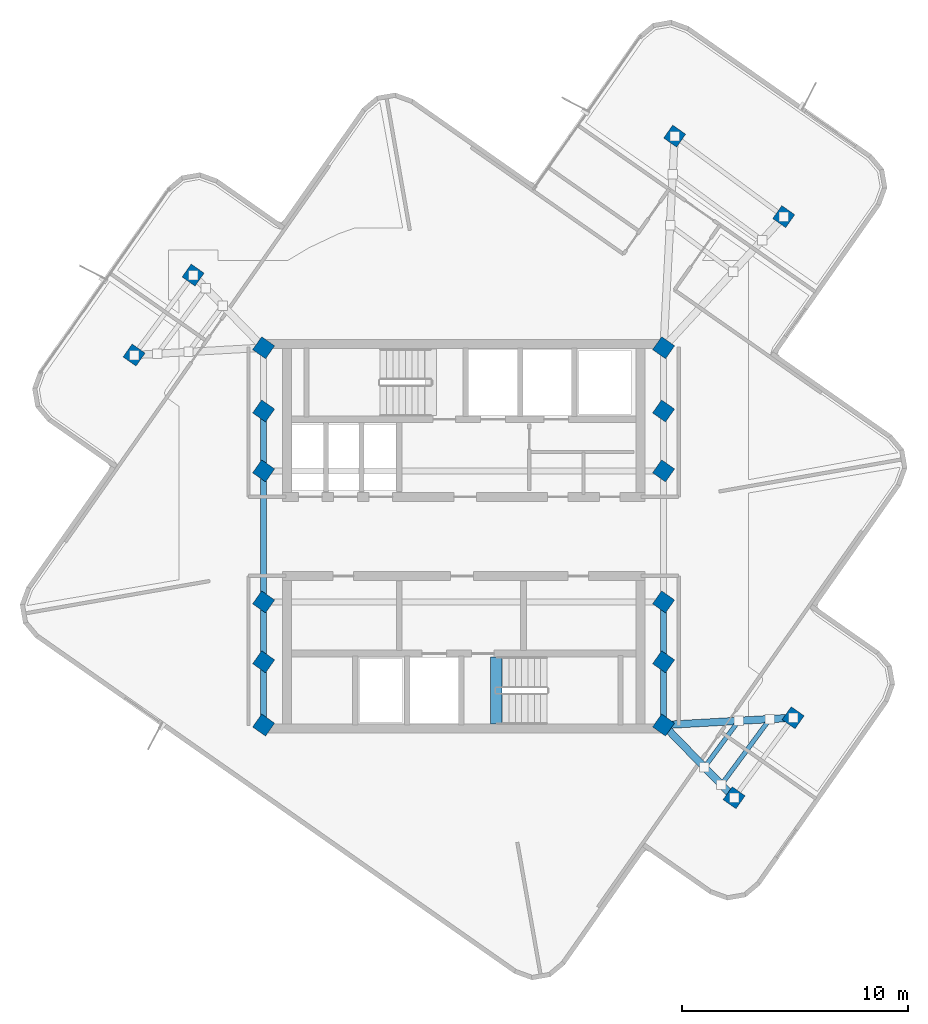
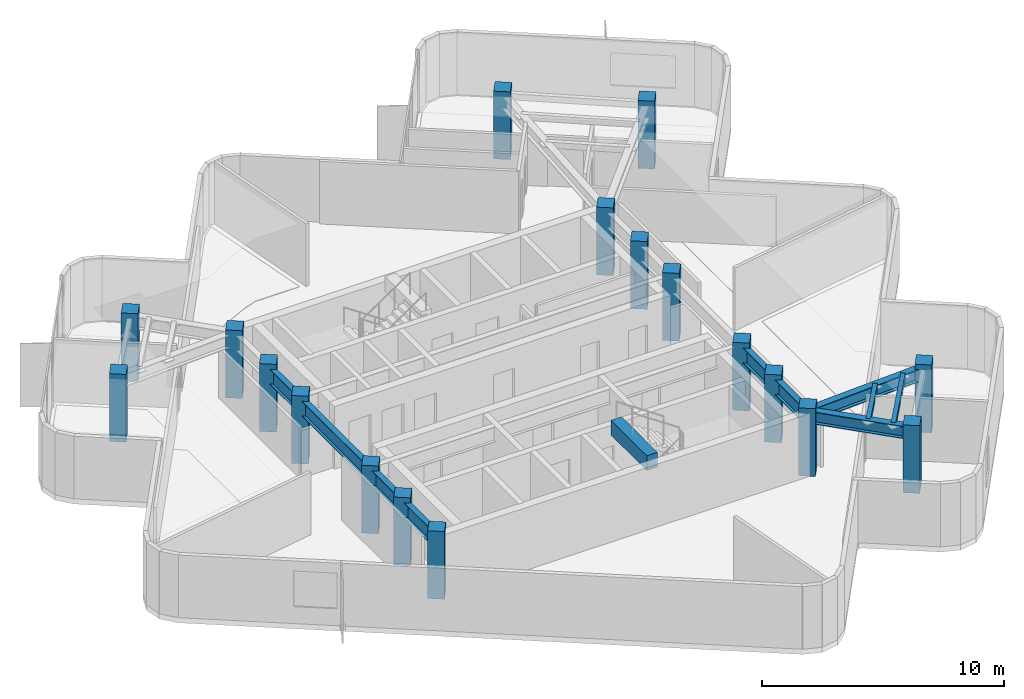
# One storey, part 1 of 9: 18 columns, 11 beams.
"""IFC4 building model written with IfcOpenShell, lengths in metres."""

from ifc_helpers import new_model, si_unit, direction, frame, origin, origin_2d, place, context, subcontext, project, spatial, rectangle, hollow_rectangle, i_section, extrude, material, material_profile, profile_set, type_object, element, save


model = new_model("IFC4")

# Units and contexts
model_context = context("Model", 3, precision=1e-05, world=origin(), true_north=direction((0.0, 1.0)))
body_context = subcontext(model_context, "Body", "Model", "MODEL_VIEW")
ifc_project = project(units=[si_unit("LENGTHUNIT", "METRE"), si_unit("AREAUNIT", "SQUARE_METRE"), si_unit("VOLUMEUNIT", "CUBIC_METRE"), si_unit("PLANEANGLEUNIT", "RADIAN"), si_unit("MASSUNIT", "GRAM", prefix="KILO")], contexts=[model_context])

# Site, building, storey
site_placement = place(None, origin())
site = spatial("IfcSite", under=ifc_project, at=site_placement, CompositionType="ELEMENT")
building_placement = place(site_placement, origin())
building = spatial("IfcBuilding", under=site, at=building_placement, Name="Solmarez Civic Tower", CompositionType="ELEMENT")
storey_placement = place(building_placement, frame((0.0, 0.0, 268.02001953125)))
storey = spatial("IfcBuildingStorey", under=building, at=storey_placement, Name="L72", CompositionType="ELEMENT", Elevation=268.02001953125)

# Columns
ifc_material_1 = material(Name="Concrete C50/60", Category="concrete")
ifc_material_profile_1 = material_profile(ifc_material_1, rectangle(XDim=0.699951171875, YDim=0.699951171875, at=origin_2d()), Name="RC700X700")
ifc_profile_set_1 = profile_set([ifc_material_profile_1], Name="Concrete C50/60")
column_type = type_object("IfcColumnType", Name="COL-RC700", PredefinedType="COLUMN", material=ifc_profile_set_1)
for number, where, z_axis, x_axis, name in (
    (1, (-8.85009765625, -5.550048828125, 0.0), (0.0, 0.0, 1.0), (0.574148172537, 0.818751412806, 0.0), "L72 Structural Column HC1"),
    (2, (-8.85009765625, -2.89990234375, 0.0), (0.0, 0.0, 1.0), (0.574148172537, 0.818751412806, 0.0), "L72 Structural Column HC2"),
    (3, (-8.85009765625, 2.89990234375, 0.0), (0.0, 0.0, 1.0), (0.574148172537, 0.818751412806, 0.0), "L72 Structural Column HC3"),
    (4, (-8.85009765625, 5.550048828125, 0.0), (0.0, 0.0, 1.0), (0.574148172537, 0.818751412806, 0.0), "L72 Structural Column HC4"),
    (5, (8.85009765625, -5.550048828125, 0.0), (0.0, 0.0, 1.0), (0.574148172537, 0.818751412806, 0.0), "L72 Structural Column HC5"),
    (6, (8.85009765625, -2.89990234375, 0.0), (0.0, 0.0, 1.0), (0.574148172537, 0.818751412806, 0.0), "L72 Structural Column HC6"),
    (7, (8.85009765625, 2.89990234375, 0.0), (0.0, 0.0, 1.0), (0.574148172537, 0.818751412806, 0.0), "L72 Structural Column HC7"),
    (8, (8.85009765625, 5.550048828125, 0.0), (0.0, 0.0, 1.0), (0.574148172537, 0.818751412806, 0.0), "L72 Structural Column HC8"),
    (9, (-8.85009765625, 8.35009765625, 0.0), (0.0, 0.0, 1.0), (0.574148172537, 0.818751412806, 0.0), "L72 Structural Column HC9"),
    (10, (8.85009765625, -8.35009765625, 0.0), (0.0, 0.0, 1.0), (0.574148172537, 0.818751412806, 0.0), "L72 Structural Column HC10"),
    (11, (8.85009765625, 8.35009765625, 0.0), (0.0, 0.0, 1.0), (0.574148172537, 0.818751412806, 0.0), "L72 Structural Column HC11"),
    (12, (-8.85009765625, -8.35009765625, 0.0), (0.0, 0.0, 1.0), (0.574148172537, 0.818751412806, 0.0), "L72 Structural Column HC12"),
    (13, (14.1689453125, 14.152099609375, 0.0), (0.0, 0.0, 1.0), (0.574148172537, 0.818751412806, 0.0), "L72 Structural Column EA11"),
    (14, (9.341064453125, 17.714111328125, 0.0), (0.0, 0.0, 1.0), (0.574148172537, 0.818751412806, 0.0), "L72 Structural Column EA12"),
    (15, (-11.970947265625, 11.56591796875, 0.0), (0.0, 0.0, 1.0), (0.574148172537, 0.818751412806, 0.0), "L72 Structural Column NA11"),
    (16, (-14.5830078125, 8.02587890625, 0.0), (0.0, 0.0, 1.0), (0.574148172537, 0.818751412806, 0.0), "L72 Structural Column NA12"),
    (17, (11.970947265625, -11.56591796875, 0.0), (0.0, 0.0, 1.0), (0.574148172537, 0.818751412806, 0.0), "L72 Structural Column SA11"),
    (18, (14.5830078125, -8.02587890625, 0.0), (0.0, 0.0, 1.0), (0.574148172537, 0.818751412806, 0.0), "L72 Structural Column SA12"),
):
    element("IfcColumn", number, at=place(storey_placement, frame(where, z_axis=z_axis, x_axis=x_axis)), inside=storey, type_object=column_type, Name=name, PredefinedType="COLUMN", context=body_context, shape_type="SweptSolid", body=[
        extrude(rectangle(XDim=0.699951171875, YDim=0.699951171875, at=origin_2d()), origin(), (0.0, 0.0, 1.0), 3.419921875),
    ])

# Beams
ifc_material_2 = material(Name="Steel S355", Category="steel")
ifc_material_profile_2 = material_profile(ifc_material_2, hollow_rectangle(XDim=0.199951171875, YDim=0.300048828125, WallThickness=0.011962890625, at=origin_2d()), Name="HSS300X200X12")
ifc_profile_set_2 = profile_set([ifc_material_profile_2], Name="Steel S355")
beam_type_1 = type_object("IfcBeamType", Name="BM-JS-HSS300X200", PredefinedType="JOIST", material=ifc_profile_set_2)
beam_1_placement = place(storey_placement, frame((10.659912109375, -10.215087890625, 3.010009765625), z_axis=(0.593812477683, 0.804603468392, 0.0), x_axis=(-0.804603468392, 0.593812477683, 0.0)))
element("IfcBeam", 19, at=beam_1_placement, inside=storey, type_object=beam_type_1, Name="L72 Secondary Floor Joist JS-L72-SA-M11", PredefinedType="JOIST", context=body_context, shape_type="SweptSolid", body=[
    extrude(hollow_rectangle(XDim=0.199951171875, YDim=0.300048828125, WallThickness=0.011962890625, at=origin_2d()), origin(), (0.0, 0.0, 1.0), 2.551513671875),
])
beam_2_placement = place(storey_placement, frame((11.408935546875, -10.987060546875, 3.010009765625), z_axis=(0.593734433343, 0.804661060735, 0.0), x_axis=(-0.804661060735, 0.593734433343, 0.0)))
element("IfcBeam", 20, at=beam_2_placement, inside=storey, type_object=beam_type_1, Name="L72 Secondary Floor Joist JS-L72-SA-M12", PredefinedType="JOIST", context=body_context, shape_type="SweptSolid", body=[
    extrude(hollow_rectangle(XDim=0.199951171875, YDim=0.300048828125, WallThickness=0.011962890625, at=origin_2d()), origin(), (0.0, 0.0, 1.0), 3.60791015625),
])
ifc_material_profile_3 = material_profile(ifc_material_1, rectangle(XDim=0.5, YDim=0.75, at=origin_2d()), Name="RC500X750")
ifc_profile_set_3 = profile_set([ifc_material_profile_3], Name="Concrete C50/60")
beam_type_2 = type_object("IfcBeamType", Name="BM-PR-RC500X750", PredefinedType="BEAM", material=ifc_profile_set_3)
beam_3_placement = place(storey_placement, frame((1.449951171875, -8.300048828125, 3.052978515625), z_axis=(0.0, 1.0, 0.0), x_axis=(-1.0, 0.0, 0.0)))
element("IfcBeam", 21, at=beam_3_placement, inside=storey, type_object=beam_type_2, Name="L72 South Stair Threshold Beam", PredefinedType="BEAM", context=body_context, shape_type="SweptSolid", body=[
    extrude(rectangle(XDim=0.5, YDim=0.75, at=origin_2d()), origin(), (0.0, 0.0, 1.0), 2.9599609375),
])
ifc_material_profile_4 = material_profile(ifc_material_2, i_section(OverallWidth=0.327880859375, OverallDepth=0.6220703125, WebThickness=0.015380859375, FlangeThickness=0.0244140625, at=origin_2d()), Name="W24X131")
ifc_profile_set_4 = profile_set([ifc_material_profile_4], Name="Steel S355")
beam_type_3 = type_object("IfcBeamType", Name="BM-PR-W24X131", PredefinedType="BEAM", material=ifc_profile_set_4)
beam_4_placement = place(storey_placement, frame((8.85009765625, -8.35009765625, 2.848876953125), z_axis=(0.696430820305, -0.717623935309, 0.0), x_axis=(0.717623935309, 0.696430820305, 0.0)))
element("IfcBeam", 22, at=beam_4_placement, inside=storey, type_object=beam_type_3, Name="L72 Primary Floor Beam BM-L72-SA-R1A", PredefinedType="BEAM", context=body_context, shape_type="SweptSolid", body=[
    extrude(i_section(OverallWidth=0.327880859375, OverallDepth=0.6220703125, WebThickness=0.015380859375, FlangeThickness=0.0244140625, at=origin_2d()), origin(), (0.0, 0.0, 1.0), 4.481201171875),
])
beam_5_placement = place(storey_placement, frame((8.85009765625, -8.35009765625, 2.848876953125), z_axis=(0.998404650863, 0.056463732917, 0.0), x_axis=(-0.056463732917, 0.998404650863, 0.0)))
element("IfcBeam", 23, at=beam_5_placement, inside=storey, type_object=beam_type_3, Name="L72 Primary Floor Beam BM-L72-SA-R1B", PredefinedType="BEAM", context=body_context, shape_type="SweptSolid", body=[
    extrude(i_section(OverallWidth=0.327880859375, OverallDepth=0.6220703125, WebThickness=0.015380859375, FlangeThickness=0.0244140625, at=origin_2d()), origin(), (0.0, 0.0, 1.0), 5.7421875),
])
ifc_material_profile_5 = material_profile(ifc_material_2, i_section(OverallWidth=0.26708984375, OverallDepth=0.761962890625, WebThickness=0.014404296875, FlangeThickness=0.021484375, at=origin_2d()), Name="W30X116")
ifc_profile_set_5 = profile_set([ifc_material_profile_5], Name="Steel S355")
beam_type_4 = type_object("IfcBeamType", Name="BM-PR-W30X116", PredefinedType="BEAM", material=ifc_profile_set_5)
beam_6_placement = place(storey_placement, frame((-8.85009765625, -8.35009765625, 2.779052734375), z_axis=(0.0, 1.0, 0.0), x_axis=(-1.0, 0.0, 0.0)))
element("IfcBeam", 24, at=beam_6_placement, inside=storey, type_object=beam_type_4, Name="L72 Primary Floor Beam BM-L72-HC12-HC1", PredefinedType="BEAM", context=body_context, shape_type="SweptSolid", body=[
    extrude(i_section(OverallWidth=0.26708984375, OverallDepth=0.761962890625, WebThickness=0.014404296875, FlangeThickness=0.021484375, at=origin_2d()), origin(), (0.0, 0.0, 1.0), 2.800048828125),
])
beam_7_placement = place(storey_placement, frame((-8.85009765625, -5.550048828125, 2.779052734375), z_axis=(0.0, 1.0, 0.0), x_axis=(-1.0, 0.0, 0.0)))
element("IfcBeam", 25, at=beam_7_placement, inside=storey, type_object=beam_type_4, Name="L72 Primary Floor Beam BM-L72-HC1-HC2", PredefinedType="BEAM", context=body_context, shape_type="SweptSolid", body=[
    extrude(i_section(OverallWidth=0.26708984375, OverallDepth=0.761962890625, WebThickness=0.014404296875, FlangeThickness=0.021484375, at=origin_2d()), origin(), (0.0, 0.0, 1.0), 2.650146484375),
])
beam_8_placement = place(storey_placement, frame((-8.85009765625, -2.89990234375, 2.779052734375), z_axis=(0.0, 1.0, 0.0), x_axis=(-1.0, 0.0, 0.0)))
element("IfcBeam", 26, at=beam_8_placement, inside=storey, type_object=beam_type_4, Name="L72 Primary Floor Beam BM-L72-HC2-HC3", PredefinedType="BEAM", context=body_context, shape_type="SweptSolid", body=[
    extrude(i_section(OverallWidth=0.26708984375, OverallDepth=0.761962890625, WebThickness=0.014404296875, FlangeThickness=0.021484375, at=origin_2d()), origin(), (0.0, 0.0, 1.0), 5.7998046875),
])
beam_9_placement = place(storey_placement, frame((-8.85009765625, 2.89990234375, 2.779052734375), z_axis=(0.0, 1.0, 0.0), x_axis=(-1.0, 0.0, 0.0)))
element("IfcBeam", 27, at=beam_9_placement, inside=storey, type_object=beam_type_4, Name="L72 Primary Floor Beam BM-L72-HC3-HC4", PredefinedType="BEAM", context=body_context, shape_type="SweptSolid", body=[
    extrude(i_section(OverallWidth=0.26708984375, OverallDepth=0.761962890625, WebThickness=0.014404296875, FlangeThickness=0.021484375, at=origin_2d()), origin(), (0.0, 0.0, 1.0), 2.650146484375),
])
beam_10_placement = place(storey_placement, frame((8.85009765625, -8.35009765625, 2.779052734375), z_axis=(0.0, 1.0, 0.0), x_axis=(-1.0, 0.0, 0.0)))
element("IfcBeam", 28, at=beam_10_placement, inside=storey, type_object=beam_type_4, Name="L72 Primary Floor Beam BM-L72-HC10-HC5", PredefinedType="BEAM", context=body_context, shape_type="SweptSolid", body=[
    extrude(i_section(OverallWidth=0.26708984375, OverallDepth=0.761962890625, WebThickness=0.014404296875, FlangeThickness=0.021484375, at=origin_2d()), origin(), (0.0, 0.0, 1.0), 2.800048828125),
])
beam_11_placement = place(storey_placement, frame((8.85009765625, -5.550048828125, 2.779052734375), z_axis=(0.0, 1.0, 0.0), x_axis=(-1.0, 0.0, 0.0)))
element("IfcBeam", 29, at=beam_11_placement, inside=storey, type_object=beam_type_4, Name="L72 Primary Floor Beam BM-L72-HC5-HC6", PredefinedType="BEAM", context=body_context, shape_type="SweptSolid", body=[
    extrude(i_section(OverallWidth=0.26708984375, OverallDepth=0.761962890625, WebThickness=0.014404296875, FlangeThickness=0.021484375, at=origin_2d()), origin(), (0.0, 0.0, 1.0), 2.650146484375),
])

save(model, "model.ifc")
